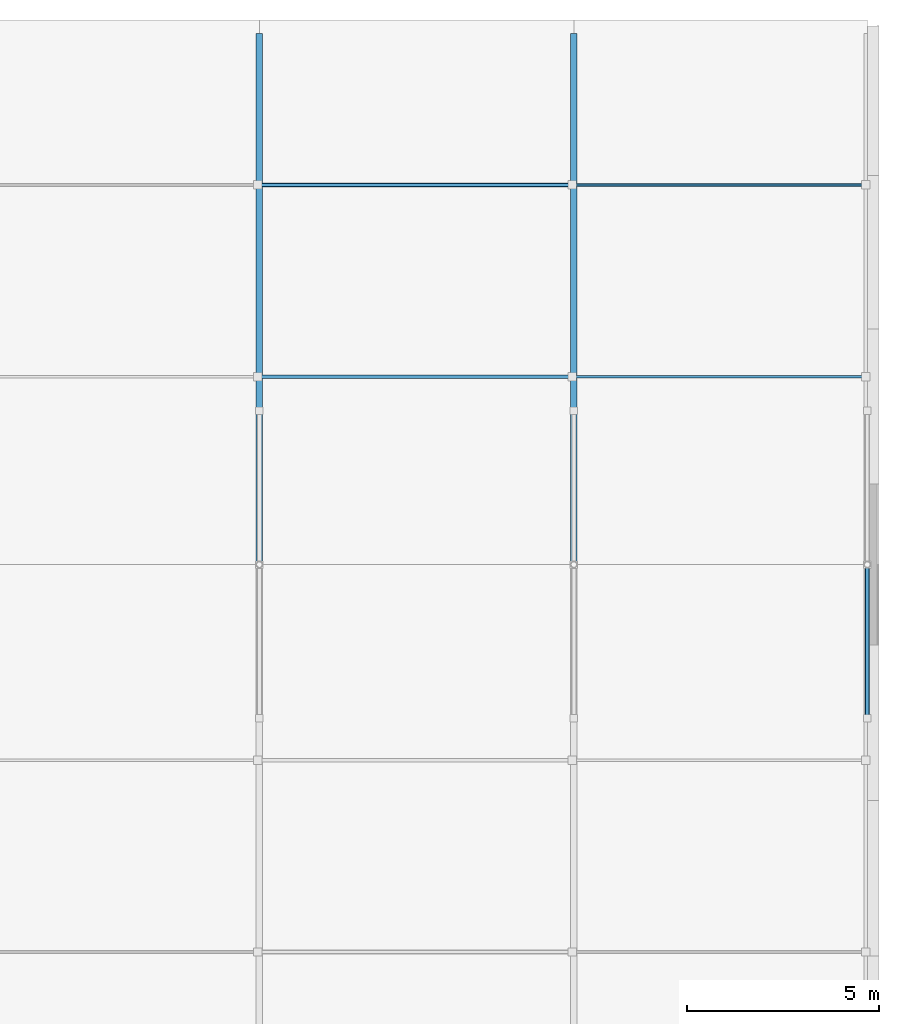
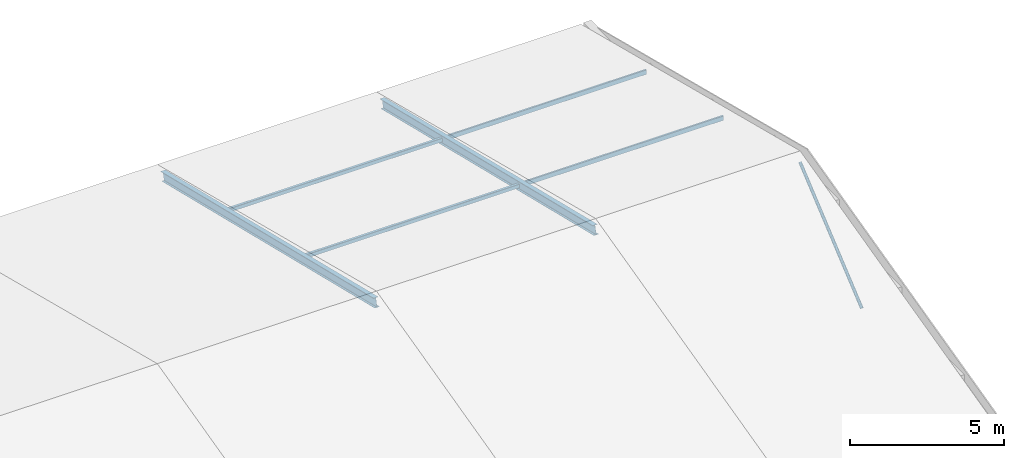
# One storey, part 39 of 65: 7 members.
"""IFC4 building model written with IfcOpenShell, lengths in metres."""

import ifcopenshell
import ifcopenshell.guid

model = None  # the IFC model being written
_history = None  # IfcOwnerHistory: only IFC2X3 demands one
_inside = {}  # id of a spatial element -> (the spatial element, [elements in it])
_under = {}  # id of a project, library or spatial element -> (it, [spatial elements below it])
_declared = {}  # id of a project -> (the project, [libraries it declares])
_typed = {}  # id of a type object -> (the type object, [elements of that type])
_made_of = {}  # id of a material, layer set ... -> (it, [elements and type objects made of it])


def new_model(schema):
    """Start an empty IFC model of exactly this schema.

    Asked for "IFC4X3", IfcOpenShell would pick the latest addendum, in which some entities
    have other attributes; the version numbers below select the first issue.
    IFC2X3 requires an IfcOwnerHistory on every rooted entity: one is made here for all.
    """
    global model, _history
    if schema == "IFC4X3":
        model = ifcopenshell.file(schema_version=(4, 3, 0, 0))
    else:
        model = ifcopenshell.file(schema=schema)
    _inside.clear()
    _under.clear()
    _declared.clear()
    _typed.clear()
    _made_of.clear()
    _history = None
    if model.schema == "IFC2X3":
        org = make("IfcOrganization", Name="unknown")
        user = make(
            "IfcPersonAndOrganization",
            ThePerson=make("IfcPerson", FamilyName="unknown"),
            TheOrganization=org,
        )
        app = make(
            "IfcApplication",
            ApplicationDeveloper=org,
            Version="unknown",
            ApplicationFullName="unknown",
            ApplicationIdentifier="unknown",
        )
        _history = make(
            "IfcOwnerHistory",
            OwningUser=user,
            OwningApplication=app,
            ChangeAction="ADDED",
            CreationDate=0,
        )
    return model


def make(cls, **values):
    """One entity of the class cls with the attributes given. An attribute that is None is left unset."""
    return model.create_entity(
        cls, **{name: value for name, value in values.items() if value is not None}
    )


def rooted(cls, **values):
    """An entity with a GlobalId (a new one), such as an element, a storey or a relation."""
    return make(cls, GlobalId=ifcopenshell.guid.new(), OwnerHistory=_history, **values)


def si_unit(unit_type, name, prefix=None):
    """IfcSIUnit, for example si_unit("LENGTHUNIT", "METRE", prefix="MILLI")."""
    return make("IfcSIUnit", UnitType=unit_type, Prefix=prefix, Name=name)


def assignment(units):
    """IfcUnitAssignment: the units of a project."""
    return None if units is None else make("IfcUnitAssignment", Units=units)


def point(xyz):
    """IfcCartesianPoint."""
    return None if xyz is None else make("IfcCartesianPoint", Coordinates=xyz)


def direction(xyz):
    """IfcDirection."""
    return None if xyz is None else make("IfcDirection", DirectionRatios=xyz)


def frame(location, z_axis=None, x_axis=None):
    """IfcAxis2Placement3D, a coordinate frame: its origin and axes. An axis left out is left unset."""
    return make(
        "IfcAxis2Placement3D",
        Location=point(location),
        Axis=direction(z_axis),
        RefDirection=direction(x_axis),
    )


def frame_2d(location, x_axis=None):
    """IfcAxis2Placement2D, a coordinate frame in the plane: its origin and x axis."""
    return make(
        "IfcAxis2Placement2D", Location=point(location), RefDirection=direction(x_axis)
    )


def origin():
    """The frame at (0, 0, 0) with its axes left unset."""
    return frame((0.0, 0.0, 0.0))


def origin_2d():
    """The frame at (0, 0) in the plane with its x axis left unset."""
    return frame_2d((0.0, 0.0))


def place(relative_to, where):
    """IfcLocalPlacement: puts the frame where relative to a parent placement (None: the world)."""
    return make(
        "IfcLocalPlacement", PlacementRelTo=relative_to, RelativePlacement=where
    )


def context(
    kind, dimensions, precision=None, world=None, true_north=None, identifier=None
):
    """IfcGeometricRepresentationContext, for example the 3D "Model" context."""
    return make(
        "IfcGeometricRepresentationContext",
        ContextIdentifier=identifier,
        ContextType=kind,
        CoordinateSpaceDimension=dimensions,
        Precision=precision,
        WorldCoordinateSystem=world,
        TrueNorth=true_north,
    )


def subcontext(parent, identifier, kind, view, scale=None):
    """IfcGeometricRepresentationSubContext, for example "Body" below "Model"."""
    return make(
        "IfcGeometricRepresentationSubContext",
        ContextIdentifier=identifier,
        ContextType=kind,
        ParentContext=parent,
        TargetScale=scale,
        TargetView=view,
    )


def project(units=None, contexts=None):
    """IfcProject with its units and contexts."""
    return rooted(
        "IfcProject",
        Name="project",
        RepresentationContexts=contexts,
        UnitsInContext=assignment(units),
    )


def spatial(cls, under=None, at=None, **own):
    """A site, building, storey or space (cls), placed at a placement, below another one or the project."""
    s = rooted(cls, ObjectPlacement=at, **own)
    if under is not None:
        _under.setdefault(under.id(), (under, []))[1].append(s)
    return s


def profile(cls, at=None, kind="AREA", **sizes):
    """A parametric profile (cls). Its sizes go by their IFC names, for example OverallWidth=200.0."""
    return make(cls, ProfileType=kind, Position=at, **sizes)


def hollow_rectangle(**sizes):
    """IfcRectangleHollowProfileDef."""
    return profile("IfcRectangleHollowProfileDef", **sizes)


def hollow_circle(**sizes):
    """IfcCircleHollowProfileDef."""
    return profile("IfcCircleHollowProfileDef", **sizes)


def i_section(**sizes):
    """IfcIShapeProfileDef."""
    return profile("IfcIShapeProfileDef", **sizes)


def extrude(swept, where, along, depth):
    """IfcExtrudedAreaSolid: the profile swept, set in the frame where, extruded along a direction by depth."""
    return make(
        "IfcExtrudedAreaSolid",
        SweptArea=swept,
        Position=where,
        ExtrudedDirection=direction(along),
        Depth=depth,
    )


def shape(context_of_items, identifier, shape_type, items):
    """IfcShapeRepresentation: the items that make up one representation, for example the "Body"."""
    return make(
        "IfcShapeRepresentation",
        ContextOfItems=context_of_items,
        RepresentationIdentifier=identifier,
        RepresentationType=shape_type,
        Items=items,
    )


def material(Name=None, Category=None):
    """IfcMaterial."""
    return make("IfcMaterial", Name=Name, Category=Category)


def material_profile(
    of_material, cross_section, Name=None, Category=None, Priority=None
):
    """IfcMaterialProfile: a cross section and its material."""
    return make(
        "IfcMaterialProfile",
        Name=Name,
        Material=of_material,
        Profile=cross_section,
        Priority=Priority,
        Category=Category,
    )


def profile_set(profiles, Name=None, composite=None):
    """IfcMaterialProfileSet."""
    return make(
        "IfcMaterialProfileSet",
        Name=Name,
        MaterialProfiles=profiles,
        CompositeProfile=composite,
    )


def made_of(thing, what):
    """Note that an element or type object is made of a material, layer set ...; save() writes the relation."""
    if what is not None:
        _made_of.setdefault(what.id(), (what, []))[1].append(thing)
    return thing


def type_object(cls, material=None, **own):
    """A type object (cls), such as IfcWallType, which elements share."""
    return made_of(rooted(cls, **own), material)


def element(
    cls,
    number,
    at=None,
    inside=None,
    cuts=None,
    type_object=None,
    material=None,
    context=None,
    identifier="Body",
    shape_type=None,
    held_by="IfcProductDefinitionShape",
    body=None,
    shapes=None,
    **own,
):
    """One element of the class cls, such as IfcWall. Its Tag is "e" and its number.

    at: its placement. inside: the storey or other place that contains it. cuts: it is an
    opening in that element (IfcRelVoidsElement). A single representation is given by context,
    identifier, shape_type and body (its items); several are given by shapes. held_by: the class
    of the entity that holds the representations. save() writes the other relations.
    """
    e = rooted(cls, Tag="e%d" % number, ObjectPlacement=at, **own)
    if body is not None:
        shapes = [shape(context, identifier, shape_type, body)]
    if shapes is not None:
        e.Representation = make(held_by, Representations=shapes)
    if inside is not None:
        _inside.setdefault(inside.id(), (inside, []))[1].append(e)
    if cuts is not None:
        rooted(
            "IfcRelVoidsElement", RelatingBuildingElement=cuts, RelatedOpeningElement=e
        )
    if type_object is not None:
        _typed.setdefault(type_object.id(), (type_object, []))[1].append(e)
    return made_of(e, material)


def aggregate(whole, parts):
    """IfcRelAggregates: a whole, such as a stair, and the parts it consists of."""
    return rooted("IfcRelAggregates", RelatingObject=whole, RelatedObjects=parts)


def save(model, path):
    """Write the relations noted so far, then the file.

    IfcRelAggregates (storeys below a building ...), IfcRelContainedInSpatialStructure (elements
    in a storey), IfcRelDefinesByType, IfcRelAssociatesMaterial and IfcRelDeclares: one each for
    every whole, place, type object, material and project.
    """
    for whole, parts in _under.values():
        aggregate(whole, parts)
    for where, things in _inside.values():
        rooted(
            "IfcRelContainedInSpatialStructure",
            RelatedElements=things,
            RelatingStructure=where,
        )
    for kind, things in _typed.values():
        rooted("IfcRelDefinesByType", RelatedObjects=things, RelatingType=kind)
    for what, things in _made_of.values():
        rooted("IfcRelAssociatesMaterial", RelatedObjects=things, RelatingMaterial=what)
    for by, libraries in _declared.values():
        rooted("IfcRelDeclares", RelatingContext=by, RelatedDefinitions=libraries)
    model.write(path)


model = new_model("IFC4")

# Units and contexts
model_context = context("Model", 3, precision=1e-05, world=origin(), true_north=direction((0.0, 1.0)))
body_context = subcontext(model_context, "Body", "Model", "MODEL_VIEW")
ifc_project = project(units=[si_unit("LENGTHUNIT", "METRE"), si_unit("AREAUNIT", "SQUARE_METRE"), si_unit("VOLUMEUNIT", "CUBIC_METRE"), si_unit("PLANEANGLEUNIT", "RADIAN"), si_unit("MASSUNIT", "GRAM", prefix="KILO")], contexts=[model_context])

# Site, building, storey
site_placement = place(None, origin())
site = spatial("IfcSite", under=ifc_project, at=site_placement, CompositionType="ELEMENT")
building_placement = place(site_placement, origin())
building = spatial("IfcBuilding", under=site, at=building_placement, Name="Quillay Park Conservatory", CompositionType="ELEMENT")
storey_placement = place(building_placement, frame((0.0, 0.0, 14.10009765625)))
storey = spatial("IfcBuildingStorey", under=building, at=storey_placement, Name="L03", CompositionType="ELEMENT", Elevation=14.10009765625)

# Members
ifc_material_1 = material(Name="Steel S355J2H", Category="steel")
ifc_material_profile_1 = material_profile(ifc_material_1, hollow_circle(Radius=0.05712890625, WallThickness=0.00634765625, at=origin_2d()), Name="CHS114.3x6.3")
ifc_profile_set_1 = profile_set([ifc_material_profile_1], Name="Steel S355J2H")
member_type_1 = type_object("IfcMemberType", Name="CANOPY TIE STRUT CHS114", PredefinedType="STRUT", material=ifc_profile_set_1)
member_placement = place(storey_placement, frame((163.85009765625, 95.60009765625, -1.5), z_axis=(0.0, 0.766661786486, 0.642051170189), x_axis=(-1.0, 0.0, 0.0)))
element("IfcMember", 1, at=member_placement, inside=storey, type_object=member_type_1, Name="Gridshell member AUD-STR-D7", PredefinedType="STRUT", context=body_context, shape_type="SweptSolid", body=[
    extrude(hollow_circle(Radius=0.05712890625, WallThickness=0.00634765625, at=origin_2d()), origin(), (0.0, 0.0, 1.0), 5.217529296875),
])
ifc_material_2 = material(Name="Steel ASTM A992 Grade 50", Category="steel")
ifc_material_profile_2 = material_profile(ifc_material_2, i_section(OverallWidth=0.172119140625, OverallDepth=0.35791015625, WebThickness=0.0078125, FlangeThickness=0.01318359375, FilletRadius=0.010986328125, at=origin_2d()), Name="W360x57")
ifc_profile_set_2 = profile_set([ifc_material_profile_2], Name="Steel ASTM A992 Grade 50")
member_type_2 = type_object("IfcMemberType", Name="FOLDED ROOF RAFTER W360", PredefinedType="RAFTER", material=ifc_profile_set_2)
for number, where, z_axis, x_axis, name in (
    (2, (148.0, 99.60009765625, 1.849853515625), (0.0, 0.971778368893, -0.235895743394), (-1.0, 0.0, 0.0), "Gridshell member AUD-RAF-N5"),
    (3, (156.199951171875, 99.60009765625, 1.849853515625), (0.0, 0.971778368893, -0.235895743394), (-1.0, 0.0, 0.0), "Gridshell member AUD-RAF-N6"),
):
    element("IfcMember", number, at=place(storey_placement, frame(where, z_axis=z_axis, x_axis=x_axis)), inside=storey, type_object=member_type_2, Name=name, PredefinedType="RAFTER", context=body_context, shape_type="SweptSolid", body=[
        extrude(i_section(OverallWidth=0.172119140625, OverallDepth=0.35791015625, WebThickness=0.0078125, FlangeThickness=0.01318359375, FilletRadius=0.010986328125, at=origin_2d()), origin(), (0.0, 0.0, 1.0), 14.20068359375),
    ])
ifc_material_3 = material(Name="Steel S355J2H", Category="steel")
ifc_material_profile_3 = material_profile(ifc_material_3, hollow_rectangle(XDim=0.10009765625, YDim=0.14990234375, WallThickness=0.00634765625, InnerFilletRadius=0.00634765625, OuterFilletRadius=0.011962890625, at=origin_2d()), Name="RHS150x100x6.3")
ifc_profile_set_3 = profile_set([ifc_material_profile_3], Name="Steel S355J2H")
member_type_3 = type_object("IfcMemberType", Name="ROOF GLAZING PURLIN RHS150", PredefinedType="PURLIN", material=ifc_profile_set_3)
for number, where, z_axis, x_axis, name in (
    (4, (148.050048828125, 104.5, 0.660400390625), (1.0, 0.0, 0.0), (0.0, 1.0, 0.0), "Gridshell member AUD-PUR-5-104"),
    (5, (148.050048828125, 109.5, -0.553466796875), (1.0, 0.0, 0.0), (0.0, 1.0, 0.0), "Gridshell member AUD-PUR-5-109"),
):
    element("IfcMember", number, at=place(storey_placement, frame(where, z_axis=z_axis, x_axis=x_axis)), inside=storey, type_object=member_type_3, Name=name, PredefinedType="PURLIN", context=body_context, shape_type="SweptSolid", body=[
        extrude(hollow_rectangle(XDim=0.10009765625, YDim=0.14990234375, WallThickness=0.00634765625, InnerFilletRadius=0.00634765625, OuterFilletRadius=0.011962890625, at=origin_2d()), origin(), (0.0, 0.0, 1.0), 8.099853515625),
    ])
ifc_material_4 = material(Name="Steel S355J2H", Category="steel")
ifc_material_profile_4 = material_profile(ifc_material_4, hollow_rectangle(XDim=0.070068359375, YDim=0.179931640625, WallThickness=0.00390625, InnerFilletRadius=0.00390625, OuterFilletRadius=0.008056640625, at=origin_2d()), Name="RHS180x70x4")
ifc_profile_set_4 = profile_set([ifc_material_profile_4], Name="Steel S355J2H")
member_type_4 = type_object("IfcMemberType", Name="ROOF GLAZING PURLIN RHS180 X70", PredefinedType="PURLIN", material=ifc_profile_set_4)
for number, where, z_axis, x_axis, name in (
    (6, (156.25, 104.5, 0.660400390625), (1.0, 0.0, 0.0), (0.0, 1.0, 0.0), "Gridshell member AUD-PUR-6-104"),
    (7, (156.25, 109.5, -0.553466796875), (1.0, 0.0, 0.0), (0.0, 1.0, 0.0), "Gridshell member AUD-PUR-6-109"),
):
    element("IfcMember", number, at=place(storey_placement, frame(where, z_axis=z_axis, x_axis=x_axis)), inside=storey, type_object=member_type_4, Name=name, PredefinedType="PURLIN", context=body_context, shape_type="SweptSolid", body=[
        extrude(hollow_rectangle(XDim=0.070068359375, YDim=0.179931640625, WallThickness=0.00390625, InnerFilletRadius=0.00390625, OuterFilletRadius=0.008056640625, at=origin_2d()), origin(), (0.0, 0.0, 1.0), 7.550048828125),
    ])

save(model, "model.ifc")
